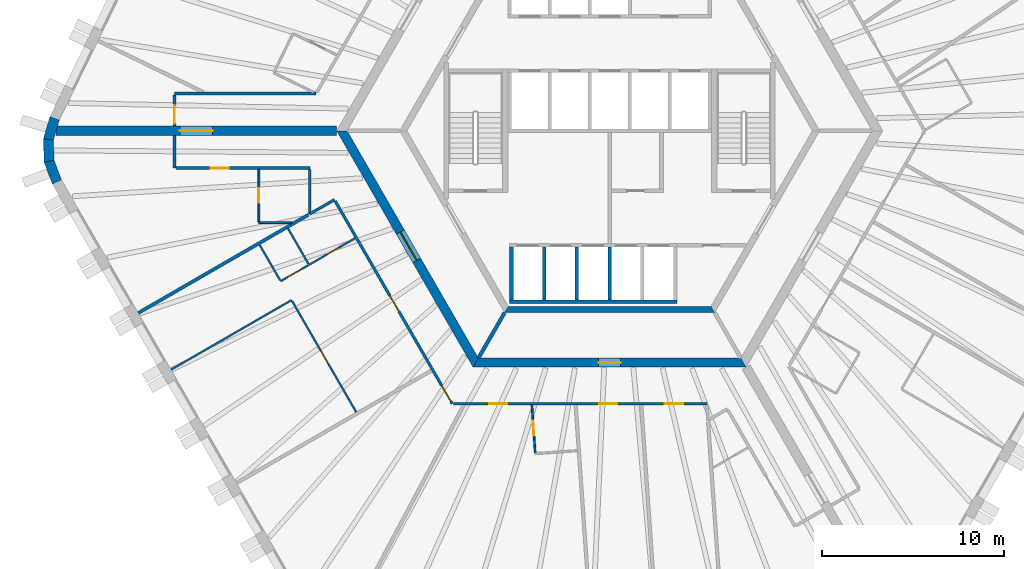
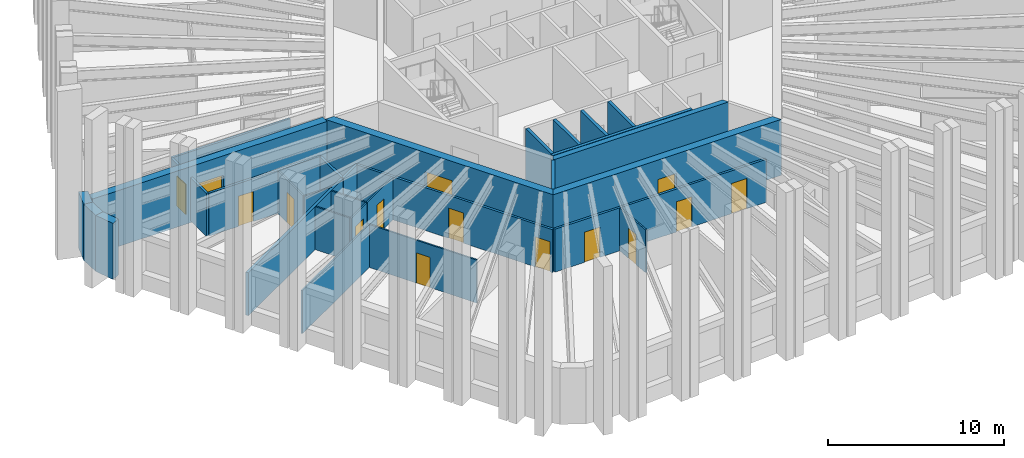
# One storey, part 3 of 10: 31 walls, 15 doors, 15 openings.
"""IFC4 building model written with IfcOpenShell, lengths in metres."""

from ifc_helpers import new_model, si_unit, direction, frame, frame_2d, origin, place, context, subcontext, project, spatial, polyline, rectangle, outline, extrude, material, layer, layer_set, type_object, element, fill, save


model = new_model("IFC4")

# Units and contexts
model_context = context("Model", 3, precision=1e-05, world=origin(), true_north=direction((0.0, 1.0)))
body_context = subcontext(model_context, "Body", "Model", "MODEL_VIEW")
ifc_project = project(units=[si_unit("LENGTHUNIT", "METRE"), si_unit("AREAUNIT", "SQUARE_METRE"), si_unit("VOLUMEUNIT", "CUBIC_METRE"), si_unit("PLANEANGLEUNIT", "RADIAN"), si_unit("MASSUNIT", "GRAM", prefix="KILO")], contexts=[model_context])

# Site, building, storey
site_placement = place(None, origin())
site = spatial("IfcSite", under=ifc_project, at=site_placement, CompositionType="ELEMENT")
building_placement = place(site_placement, origin())
building = spatial("IfcBuilding", under=site, at=building_placement, Name="Tarnside Tower", CompositionType="ELEMENT")
storey_placement = place(building_placement, frame((0.0, 0.0, 195.60009765625)))
storey = spatial("IfcBuildingStorey", under=building, at=storey_placement, Name="L46", CompositionType="ELEMENT", Elevation=195.60009765625)

# Wall
ifc_material_1 = material(Name="Gypsum board partition on steel studs", Category="steel")
ifc_layer_1 = layer(ifc_material_1, 0.10009765625)
ifc_layer_set_1 = layer_set([ifc_layer_1], Name="Bathroom wall 100")
wall_type_1 = type_object("IfcWallType", Name="Bathroom wall 100", PredefinedType="PARTITIONING", material=ifc_layer_set_1)
wall_1_placement = place(storey_placement, frame((-17.4912109375, -5.050048828125, 0.0), z_axis=(0.0, 0.0, 1.0), x_axis=(-1.0, 0.0, 0.0)))
element("IfcWall", 1, at=wall_1_placement, inside=storey, type_object=wall_type_1, Name="Bathroom wall 15071", PredefinedType="PARTITIONING", context=body_context, shape_type="SweptSolid", body=[
    extrude(rectangle(XDim=1.795654296875, YDim=0.10009765625, at=frame_2d((0.89794921875, 0.0))), origin(), (0.0, 0.0, 1.0), 2.98779296875),
])

# Wall, opening, door
wall_2_placement = place(storey_placement, frame((-19.286865234375, -5.0, 0.0), z_axis=(0.0, 0.0, 1.0), x_axis=(0.0, 1.0, 0.0)))
wall_2 = element("IfcWall", 2, at=wall_2_placement, inside=storey, type_object=wall_type_1, Name="Bathroom wall 15072", PredefinedType="PARTITIONING", context=body_context, shape_type="SweptSolid", body=[
    extrude(rectangle(XDim=2.875, YDim=0.10009765625, at=frame_2d((1.4375, 0.0))), origin(), (0.0, 0.0, 1.0), 2.98779296875),
])
opening_1_placement = place(wall_2_placement, frame((1.050048828125, 0.0, 0.0)))
opening_1 = element("IfcOpeningElement", 3, at=opening_1_placement, cuts=wall_2, Name="Opening D-B1", PredefinedType="OPENING", context=body_context, shape_type="SweptSolid", body=[
    extrude(rectangle(XDim=0.800048828125, YDim=2.10009765625, at=frame_2d((0.39990234375, 1.050048828125))), frame((0.0, 0.06005859375, 0.0), z_axis=(0.0, -1.0, 0.0), x_axis=(1.0, 0.0, 0.0)), (0.0, 0.0, 1.0), 0.1201171875),
])
ifc_material_2 = material(Name="Timber door leaf", Category="wood")
door_type_1 = type_object("IfcDoorType", Name="Bathroom door 800", OperationType="NOTDEFINED", PredefinedType="DOOR", material=ifc_material_2)
door_1_placement = place(opening_1_placement, origin())
door_1 = element("IfcDoor", 4, at=door_1_placement, inside=storey, type_object=door_type_1, Name="Bathroom door 15013", OperationType="SINGLE_SWING_LEFT", OverallHeight=2.10009765625, OverallWidth=0.800048828125, PredefinedType="DOOR", context=body_context, shape_type="SweptSolid", body=[
    extrude(rectangle(XDim=0.800048828125, YDim=2.10009765625, at=frame_2d((0.39990234375, 1.050048828125))), frame((0.0, 0.02490234375, 0.0), z_axis=(0.0, -1.0, 0.0), x_axis=(1.0, 0.0, 0.0)), (0.0, 0.0, 1.0), 0.050048828125),
])
fill(opening_1, door_1)

wall_3_placement = place(storey_placement, frame((-13.996337890625, -5.907470703125, 0.0), z_axis=(0.0, 0.0, 1.0), x_axis=(-0.86601045545, -0.500025890382, 0.0)))
wall_3 = element("IfcWall", 5, at=wall_3_placement, inside=storey, type_object=wall_type_1, Name="Bathroom wall 15077", PredefinedType="PARTITIONING", context=body_context, shape_type="SweptSolid", body=[
    extrude(rectangle(XDim=2.925048828125, YDim=0.10009765625, at=frame_2d((1.46240234375, 0.0))), origin(), (0.0, 0.0, 1.0), 2.98779296875),
])
opening_2_placement = place(wall_3_placement, frame((1.02490234375, 0.0, 0.0)))
opening_2 = element("IfcOpeningElement", 6, at=opening_2_placement, cuts=wall_3, Name="Opening D-B1", PredefinedType="OPENING", context=body_context, shape_type="SweptSolid", body=[
    extrude(rectangle(XDim=0.800048828125, YDim=2.10009765625, at=frame_2d((0.39990234375, 1.050048828125))), frame((0.0, 0.06005859375, 0.0), z_axis=(0.0, -1.0, 0.0), x_axis=(1.0, 0.0, 0.0)), (0.0, 0.0, 1.0), 0.1201171875),
])
door_2_placement = place(opening_2_placement, origin())
door_2 = element("IfcDoor", 7, at=door_2_placement, inside=storey, type_object=door_type_1, Name="Bathroom door 15015", OperationType="SINGLE_SWING_RIGHT", OverallHeight=2.10009765625, OverallWidth=0.800048828125, PredefinedType="DOOR", context=body_context, shape_type="SweptSolid", body=[
    extrude(rectangle(XDim=0.800048828125, YDim=2.10009765625, at=frame_2d((0.39990234375, 1.050048828125))), frame((0.0, 0.02490234375, 0.0), z_axis=(0.0, -1.0, 0.0), x_axis=(1.0, 0.0, 0.0)), (0.0, 0.0, 1.0), 0.050048828125),
])
fill(opening_2, door_2)

# Wall
wall_4_placement = place(storey_placement, frame((-17.6845703125, -5.36962890625, 0.0), z_axis=(0.0, 0.0, 1.0), x_axis=(0.500077800282, -0.865980481111, 0.0)))
element("IfcWall", 8, at=wall_4_placement, inside=storey, type_object=wall_type_1, Name="Bathroom wall 15083", PredefinedType="PARTITIONING", context=body_context, shape_type="SweptSolid", body=[
    extrude(rectangle(XDim=2.260009765625, YDim=0.10009765625, at=frame_2d((1.1298828125, 0.0))), origin(), (0.0, 0.0, 1.0), 2.98779296875),
])

# Wall, opening, door
wall_5_placement = place(storey_placement, frame((-4.09326171875, -17.698486328125, 0.0), z_axis=(0.0, 0.0, 1.0), x_axis=(-0.069808804481, 0.997560389559, 0.0)))
wall_5 = element("IfcWall", 9, at=wall_5_placement, inside=storey, type_object=wall_type_1, Name="Bathroom wall 15087", PredefinedType="PARTITIONING", context=body_context, shape_type="SweptSolid", body=[
    extrude(rectangle(XDim=2.6298828125, YDim=0.10009765625, at=frame_2d((1.31494140625, 0.0))), origin(), (0.0, 0.0, 1.0), 2.98779296875),
])
opening_3_placement = place(wall_5_placement, frame((0.949951171875, 0.0, 0.0)))
opening_3 = element("IfcOpeningElement", 10, at=opening_3_placement, cuts=wall_5, Name="Opening D-B1", PredefinedType="OPENING", context=body_context, shape_type="SweptSolid", body=[
    extrude(rectangle(XDim=0.800048828125, YDim=2.10009765625, at=frame_2d((0.39990234375, 1.050048828125))), frame((0.0, 0.06005859375, 0.0), z_axis=(0.0, -1.0, 0.0), x_axis=(1.0, 0.0, 0.0)), (0.0, 0.0, 1.0), 0.1201171875),
])
door_3_placement = place(opening_3_placement, origin())
door_3 = element("IfcDoor", 11, at=door_3_placement, inside=storey, type_object=door_type_1, Name="Bathroom door 15020", OperationType="SINGLE_SWING_LEFT", OverallHeight=2.10009765625, OverallWidth=0.800048828125, PredefinedType="DOOR", context=body_context, shape_type="SweptSolid", body=[
    extrude(rectangle(XDim=0.800048828125, YDim=2.10009765625, at=frame_2d((0.39990234375, 1.050048828125))), frame((0.0, 0.02490234375, 0.0), z_axis=(0.0, -1.0, 0.0), x_axis=(1.0, 0.0, 0.0)), (0.0, 0.0, 1.0), 0.050048828125),
])
fill(opening_3, door_3)

# Wall
ifc_material_3 = material(Name="Concrete C50/60", Category="concrete")
ifc_layer_2 = layer(ifc_material_3, 0.35009765625)
ifc_layer_set_2 = layer_set([ifc_layer_2], Name="Core block wall 350 C50/60")
wall_type_2 = type_object("IfcWallType", Name="Core block wall 350 C50/60", PredefinedType="SHEAR", material=ifc_layer_set_2)
wall_6_placement = place(storey_placement, frame((-5.672607421875, -9.824951171875, -0.150146484375), z_axis=(0.0, 0.0, 1.0), x_axis=(1.0, 0.0, 0.0)))
element("IfcWall", 12, at=wall_6_placement, inside=storey, type_object=wall_type_2, Name="L46 core block wall face 4", PredefinedType="SHEAR", context=body_context, shape_type="SweptSolid", body=[
    extrude(outline(polyline([(-0.10107421875, -0.175048828125), (11.4462890625, -0.175048828125), (11.244140625, 0.175048828125), (0.10107421875, 0.175048828125), (-0.10107421875, -0.175048828125)])), origin(), (0.0, 0.0, 1.0), 3.900146484375),
])

# Wall, opening, door
ifc_material_4 = material(Name="Concrete C70/85", Category="concrete")
ifc_layer_3 = layer(ifc_material_4, 0.5)
ifc_layer_set_3 = layer_set([ifc_layer_3], Name="Core wall Z2 500 C70/85")
wall_type_3 = type_object("IfcWallType", Name="Core wall Z2 500 C70/85", PredefinedType="SHEAR", material=ifc_layer_set_3)
wall_7_placement = place(storey_placement, frame((-14.722412109375, 0.0, -0.150146484375), z_axis=(0.0, 0.0, 1.0), x_axis=(0.50000571537, -0.866022103989, 0.0)))
wall_7 = element("IfcWall", 13, at=wall_7_placement, inside=storey, type_object=wall_type_3, Name="L46 core wall face 3", PredefinedType="SHEAR", context=body_context, shape_type="SweptSolid", body=[
    extrude(outline(polyline([(-0.144287109375, -0.25), (14.86669921875, -0.25), (14.578125, 0.25), (0.144287109375, 0.25), (-0.144287109375, -0.25)])), origin(), (0.0, 0.0, 1.0), 3.900146484375),
])
opening_4_placement = place(wall_7_placement, frame((6.432373046875, 0.0, 0.14990234375)))
opening_4 = element("IfcOpeningElement", 14, at=opening_4_placement, cuts=wall_7, Name="Opening CD-FFL", PredefinedType="OPENING", context=body_context, shape_type="SweptSolid", body=[
    extrude(rectangle(XDim=1.800048828125, YDim=2.39990234375, at=frame_2d((0.89990234375, 1.199951171875))), frame((0.0, 0.260009765625, 0.0), z_axis=(0.0, -1.0, 0.0), x_axis=(1.0, 0.0, 0.0)), (0.0, 0.0, 1.0), 0.52001953125),
])
ifc_material_5 = material(Name="Steel fire door", Category="steel")
door_type_2 = type_object("IfcDoorType", Name="Firefighting lobby double door FD60S 1800x2400", OperationType="NOTDEFINED", PredefinedType="DOOR", material=ifc_material_5)
door_4_placement = place(opening_4_placement, origin())
door_4 = element("IfcDoor", 15, at=door_4_placement, inside=storey, type_object=door_type_2, Name="L46 core door P3", OperationType="DOUBLE_DOOR_SINGLE_SWING", OverallHeight=2.39990234375, OverallWidth=1.800048828125, PredefinedType="DOOR", context=body_context, shape_type="SweptSolid", body=[
    extrude(rectangle(XDim=1.800048828125, YDim=2.39990234375, at=frame_2d((0.89990234375, 1.199951171875))), frame((0.0, 0.02490234375, 0.0), z_axis=(0.0, -1.0, 0.0), x_axis=(1.0, 0.0, 0.0)), (0.0, 0.0, 1.0), 0.050048828125),
])
fill(opening_4, door_4)

wall_8_placement = place(storey_placement, frame((-7.361083984375, -12.75, -0.150146484375), z_axis=(0.0, 0.0, 1.0), x_axis=(1.0, 0.0, 0.0)))
wall_8 = element("IfcWall", 16, at=wall_8_placement, inside=storey, type_object=wall_type_3, Name="L46 core wall face 4", PredefinedType="SHEAR", context=body_context, shape_type="SweptSolid", body=[
    extrude(outline(polyline([(-0.144287109375, -0.25), (14.866455078125, -0.25), (14.577880859375, 0.25), (0.144287109375, 0.25), (-0.144287109375, -0.25)])), origin(), (0.0, 0.0, 1.0), 3.900146484375),
])
opening_5_placement = place(wall_8_placement, frame((6.76123046875, 0.0, 0.14990234375)))
opening_5 = element("IfcOpeningElement", 17, at=opening_5_placement, cuts=wall_8, Name="Opening CD-RSR", PredefinedType="OPENING", context=body_context, shape_type="SweptSolid", body=[
    extrude(rectangle(XDim=1.199951171875, YDim=2.39990234375, at=frame_2d((0.60009765625, 1.199951171875))), frame((0.0, 0.260009765625, 0.0), z_axis=(0.0, -1.0, 0.0), x_axis=(1.0, 0.0, 0.0)), (0.0, 0.0, 1.0), 0.52001953125),
])
door_type_3 = type_object("IfcDoorType", Name="Riser door FD60 1200x2400", OperationType="NOTDEFINED", PredefinedType="DOOR", material=ifc_material_5)
door_5_placement = place(opening_5_placement, origin())
door_5 = element("IfcDoor", 18, at=door_5_placement, inside=storey, type_object=door_type_3, Name="L46 core door S6", OperationType="SINGLE_SWING_LEFT", OverallHeight=2.39990234375, OverallWidth=1.199951171875, PredefinedType="DOOR", context=body_context, shape_type="SweptSolid", body=[
    extrude(rectangle(XDim=1.199951171875, YDim=2.39990234375, at=frame_2d((0.60009765625, 1.199951171875))), frame((0.0, 0.02490234375, 0.0), z_axis=(0.0, -1.0, 0.0), x_axis=(1.0, 0.0, 0.0)), (0.0, 0.0, 1.0), 0.050048828125),
])
fill(opening_5, door_5)

wall_9_placement = place(storey_placement, frame((-15.010986328125, 0.0, -0.150146484375), z_axis=(0.0, 0.0, 1.0), x_axis=(-1.0, 0.0, 0.0)))
wall_9 = element("IfcWall", 19, at=wall_9_placement, inside=storey, type_object=wall_type_3, Name="L46 spine wall 2", PredefinedType="SHEAR", context=body_context, shape_type="SweptSolid", body=[
    extrude(rectangle(XDim=15.423828125, YDim=0.5, at=frame_2d((7.7119140625, 0.0))), origin(), (0.0, 0.0, 1.0), 3.900146484375),
])
opening_6_placement = place(wall_9_placement, frame((6.811767578125, 0.0, 0.14990234375)))
opening_6 = element("IfcOpeningElement", 20, at=opening_6_placement, cuts=wall_9, Name="Opening CD-SPN", PredefinedType="OPENING", context=body_context, shape_type="SweptSolid", body=[
    extrude(rectangle(XDim=1.800048828125, YDim=2.39990234375, at=frame_2d((0.89990234375, 1.199951171875))), frame((0.0, 0.260009765625, 0.0), z_axis=(0.0, -1.0, 0.0), x_axis=(1.0, 0.0, 0.0)), (0.0, 0.0, 1.0), 0.52001953125),
])
door_type_4 = type_object("IfcDoorType", Name="Spine passage double door FD60 1800x2400", OperationType="NOTDEFINED", PredefinedType="DOOR", material=ifc_material_5)
door_6_placement = place(opening_6_placement, origin())
door_6 = element("IfcDoor", 21, at=door_6_placement, inside=storey, type_object=door_type_4, Name="L46 spine passage door 2", OperationType="DOUBLE_DOOR_SINGLE_SWING", OverallHeight=2.39990234375, OverallWidth=1.800048828125, PredefinedType="DOOR", context=body_context, shape_type="SweptSolid", body=[
    extrude(rectangle(XDim=1.800048828125, YDim=2.39990234375, at=frame_2d((0.89990234375, 1.199951171875))), frame((0.0, 0.02490234375, 0.0), z_axis=(0.0, -1.0, 0.0), x_axis=(1.0, 0.0, 0.0)), (0.0, 0.0, 1.0), 0.050048828125),
])
fill(opening_6, door_6)

# Wall
ifc_layer_4 = layer(ifc_material_1, 0.14990234375)
ifc_layer_set_4 = layer_set([ifc_layer_4], Name="Corridor wall 150 EI 60")
wall_type_4 = type_object("IfcWallType", Name="Corridor wall 150 EI 60", PredefinedType="PARTITIONING", material=ifc_layer_set_4)
wall_10_placement = place(storey_placement, frame((-16.136962890625, 2.050048828125, 0.0), z_axis=(0.0, 0.0, 1.0), x_axis=(-1.0, 0.0, 0.0)))
element("IfcWall", 22, at=wall_10_placement, inside=storey, type_object=wall_type_4, Name="Corridor wall 15010", PredefinedType="PARTITIONING", context=body_context, shape_type="SweptSolid", body=[
    extrude(rectangle(XDim=7.785888671875, YDim=0.14990234375, at=frame_2d((3.89306640625, 0.0))), origin(), (0.0, 0.0, 1.0), 2.98779296875),
])

# Wall, opening, door
wall_11_placement = place(storey_placement, frame((-23.9228515625, 1.97509765625, 0.0), z_axis=(0.0, 0.0, 1.0), x_axis=(0.0, -1.0, 0.0)))
wall_11 = element("IfcWall", 23, at=wall_11_placement, inside=storey, type_object=wall_type_4, Name="Corridor wall 15014", PredefinedType="PARTITIONING", context=body_context, shape_type="SweptSolid", body=[
    extrude(rectangle(XDim=1.72509765625, YDim=0.14990234375, at=frame_2d((0.862548828125, 0.0))), origin(), (0.0, 0.0, 1.0), 2.98779296875),
])
opening_7_placement = place(wall_11_placement, frame((0.574951171875, 0.0, 0.0)))
opening_7 = element("IfcOpeningElement", 24, at=opening_7_placement, cuts=wall_11, Name="Opening D-E1", PredefinedType="OPENING", context=body_context, shape_type="SweptSolid", body=[
    extrude(rectangle(XDim=1.0, YDim=2.10009765625, at=frame_2d((0.5, 1.050048828125))), frame((0.0, 0.0849609375, 0.0), z_axis=(0.0, -1.0, 0.0), x_axis=(1.0, 0.0, 0.0)), (0.0, 0.0, 1.0), 0.169921875),
])
door_type_5 = type_object("IfcDoorType", Name="Unit entrance door 1000 FD30S", OperationType="NOTDEFINED", PredefinedType="DOOR", material=ifc_material_2)
door_7_placement = place(opening_7_placement, origin())
door_7 = element("IfcDoor", 25, at=door_7_placement, inside=storey, type_object=door_type_5, Name="Unit door 15011", OperationType="SINGLE_SWING_LEFT", OverallHeight=2.10009765625, OverallWidth=1.0, PredefinedType="DOOR", context=body_context, shape_type="SweptSolid", body=[
    extrude(rectangle(XDim=1.0, YDim=2.10009765625, at=frame_2d((0.5, 1.050048828125))), frame((0.0, 0.02490234375, 0.0), z_axis=(0.0, -1.0, 0.0), x_axis=(1.0, 0.0, 0.0)), (0.0, 0.0, 1.0), 0.050048828125),
])
fill(opening_7, door_7)

# Wall
wall_12_placement = place(storey_placement, frame((-23.9228515625, -0.25, 0.0), z_axis=(0.0, 0.0, 1.0), x_axis=(0.0, -1.0, 0.0)))
element("IfcWall", 26, at=wall_12_placement, inside=storey, type_object=wall_type_4, Name="Corridor wall 15015", PredefinedType="PARTITIONING", context=body_context, shape_type="SweptSolid", body=[
    extrude(rectangle(XDim=1.800048828125, YDim=0.14990234375, at=frame_2d((0.89990234375, 0.0))), origin(), (0.0, 0.0, 1.0), 2.98779296875),
])

# Wall, opening, door
wall_13_placement = place(storey_placement, frame((-23.847900390625, -2.050048828125, 0.0), z_axis=(0.0, 0.0, 1.0), x_axis=(1.0, 0.0, 0.0)))
wall_13 = element("IfcWall", 27, at=wall_13_placement, inside=storey, type_object=wall_type_4, Name="Corridor wall 15016", PredefinedType="PARTITIONING", context=body_context, shape_type="SweptSolid", body=[
    extrude(rectangle(XDim=7.36083984375, YDim=0.14990234375, at=frame_2d((3.680419921875, 0.0))), origin(), (0.0, 0.0, 1.0), 2.98779296875),
])
opening_8_placement = place(wall_13_placement, frame((1.91796875, 0.0, 0.0)))
opening_8 = element("IfcOpeningElement", 28, at=opening_8_placement, cuts=wall_13, Name="Opening D-E1", PredefinedType="OPENING", context=body_context, shape_type="SweptSolid", body=[
    extrude(rectangle(XDim=1.0, YDim=2.10009765625, at=frame_2d((0.5, 1.050048828125))), frame((0.0, 0.0849609375, 0.0), z_axis=(0.0, -1.0, 0.0), x_axis=(1.0, 0.0, 0.0)), (0.0, 0.0, 1.0), 0.169921875),
])
door_8_placement = place(opening_8_placement, origin())
door_8 = element("IfcDoor", 29, at=door_8_placement, inside=storey, type_object=door_type_5, Name="Unit door 15012", OperationType="SINGLE_SWING_LEFT", OverallHeight=2.10009765625, OverallWidth=1.0, PredefinedType="DOOR", context=body_context, shape_type="SweptSolid", body=[
    extrude(rectangle(XDim=1.0, YDim=2.10009765625, at=frame_2d((0.5, 1.050048828125))), frame((0.0, 0.02490234375, 0.0), z_axis=(0.0, -1.0, 0.0), x_axis=(1.0, 0.0, 0.0)), (0.0, 0.0, 1.0), 0.050048828125),
])
fill(opening_8, door_8)

# Wall
wall_14_placement = place(storey_placement, frame((-16.487060546875, -2.125, 0.0), z_axis=(0.0, 0.0, 1.0), x_axis=(0.0, -1.0, 0.0)))
element("IfcWall", 30, at=wall_14_placement, inside=storey, type_object=wall_type_4, Name="Corridor wall 15018", PredefinedType="PARTITIONING", context=body_context, shape_type="SweptSolid", body=[
    extrude(rectangle(XDim=2.44921875, YDim=0.14990234375, at=frame_2d((1.224609375, 0.0))), origin(), (0.0, 0.0, 1.0), 2.98779296875),
])

# Wall, openings, doors
wall_15_placement = place(storey_placement, frame((-15.093994140625, -3.8564453125, 0.0), z_axis=(0.0, 0.0, 1.0), x_axis=(0.500006037985, -0.866021917724, 0.0)))
wall_15 = element("IfcWall", 31, at=wall_15_placement, inside=storey, type_object=wall_type_4, Name="Corridor wall 15019", PredefinedType="PARTITIONING", context=body_context, shape_type="SweptSolid", body=[
    extrude(rectangle(XDim=12.867431640625, YDim=0.14990234375, at=frame_2d((6.43359375, 0.0))), origin(), (0.0, 0.0, 1.0), 2.98779296875),
])
opening_9_placement = place(wall_15_placement, frame((6.02490234375, 0.0, 0.0)))
opening_9 = element("IfcOpeningElement", 32, at=opening_9_placement, cuts=wall_15, Name="Opening D-E1", PredefinedType="OPENING", context=body_context, shape_type="SweptSolid", body=[
    extrude(rectangle(XDim=1.0, YDim=2.10009765625, at=frame_2d((0.5, 1.050048828125))), frame((0.0, 0.0849609375, 0.0), z_axis=(0.0, -1.0, 0.0), x_axis=(1.0, 0.0, 0.0)), (0.0, 0.0, 1.0), 0.169921875),
])
opening_10_placement = place(wall_15_placement, frame((11.71728515625, 0.0, 0.0)))
opening_10 = element("IfcOpeningElement", 33, at=opening_10_placement, cuts=wall_15, Name="Opening D-E1", PredefinedType="OPENING", context=body_context, shape_type="SweptSolid", body=[
    extrude(rectangle(XDim=1.0, YDim=2.10009765625, at=frame_2d((0.5, 1.050048828125))), frame((0.0, 0.0849609375, 0.0), z_axis=(0.0, -1.0, 0.0), x_axis=(1.0, 0.0, 0.0)), (0.0, 0.0, 1.0), 0.169921875),
])
door_9_placement = place(opening_9_placement, origin())
door_9 = element("IfcDoor", 34, at=door_9_placement, inside=storey, type_object=door_type_5, Name="Unit door 15014", OperationType="SINGLE_SWING_LEFT", OverallHeight=2.10009765625, OverallWidth=1.0, PredefinedType="DOOR", context=body_context, shape_type="SweptSolid", body=[
    extrude(rectangle(XDim=1.0, YDim=2.10009765625, at=frame_2d((0.5, 1.050048828125))), frame((0.0, 0.02490234375, 0.0), z_axis=(0.0, -1.0, 0.0), x_axis=(1.0, 0.0, 0.0)), (0.0, 0.0, 1.0), 0.050048828125),
])
fill(opening_9, door_9)
door_10_placement = place(opening_10_placement, origin())
door_10 = element("IfcDoor", 35, at=door_10_placement, inside=storey, type_object=door_type_5, Name="Unit door 15018", OperationType="SINGLE_SWING_LEFT", OverallHeight=2.10009765625, OverallWidth=1.0, PredefinedType="DOOR", context=body_context, shape_type="SweptSolid", body=[
    extrude(rectangle(XDim=1.0, YDim=2.10009765625, at=frame_2d((0.5, 1.050048828125))), frame((0.0, 0.02490234375, 0.0), z_axis=(0.0, -1.0, 0.0), x_axis=(1.0, 0.0, 0.0)), (0.0, 0.0, 1.0), 0.050048828125),
])
fill(opening_10, door_10)

# Wall
wall_16_placement = place(storey_placement, frame((-16.490234375, -4.576171875, 0.0), z_axis=(0.0, 0.0, 1.0), x_axis=(0.865993845424, 0.5000546567, 0.0)))
element("IfcWall", 36, at=wall_16_placement, inside=storey, type_object=wall_type_4, Name="Corridor wall 15020", PredefinedType="PARTITIONING", context=body_context, shape_type="SweptSolid", body=[
    extrude(rectangle(XDim=1.569091796875, YDim=0.14990234375, at=frame_2d((0.78466796875, 0.0))), origin(), (0.0, 0.0, 1.0), 2.98779296875),
])

# Wall, openings, doors
wall_17_placement = place(storey_placement, frame((-8.57373046875, -15.0, 0.0), z_axis=(0.0, 0.0, 1.0), x_axis=(1.0, 0.0, 0.0)))
wall_17 = element("IfcWall", 37, at=wall_17_placement, inside=storey, type_object=wall_type_4, Name="Corridor wall 15023", PredefinedType="PARTITIONING", context=body_context, shape_type="SweptSolid", body=[
    extrude(rectangle(XDim=13.9150390625, YDim=0.14990234375, at=frame_2d((6.95751953125, 0.0))), origin(), (0.0, 0.0, 1.0), 2.98779296875),
])
opening_11_placement = place(wall_17_placement, frame((1.95068359375, 0.0, 0.0)))
opening_11 = element("IfcOpeningElement", 38, at=opening_11_placement, cuts=wall_17, Name="Opening D-E1", PredefinedType="OPENING", context=body_context, shape_type="SweptSolid", body=[
    extrude(rectangle(XDim=1.0, YDim=2.10009765625, at=frame_2d((0.5, 1.050048828125))), frame((0.0, 0.0849609375, 0.0), z_axis=(0.0, -1.0, 0.0), x_axis=(1.0, 0.0, 0.0)), (0.0, 0.0, 1.0), 0.169921875),
])
opening_12_placement = place(wall_17_placement, frame((8.001953125, 0.0, 0.0)))
opening_12 = element("IfcOpeningElement", 39, at=opening_12_placement, cuts=wall_17, Name="Opening D-E1", PredefinedType="OPENING", context=body_context, shape_type="SweptSolid", body=[
    extrude(rectangle(XDim=1.0, YDim=2.10009765625, at=frame_2d((0.5, 1.050048828125))), frame((0.0, 0.0849609375, 0.0), z_axis=(0.0, -1.0, 0.0), x_axis=(1.0, 0.0, 0.0)), (0.0, 0.0, 1.0), 0.169921875),
])
opening_13_placement = place(wall_17_placement, frame((11.610595703125, 0.0, 0.0)))
opening_13 = element("IfcOpeningElement", 40, at=opening_13_placement, cuts=wall_17, Name="Opening D-E1", PredefinedType="OPENING", context=body_context, shape_type="SweptSolid", body=[
    extrude(rectangle(XDim=1.0, YDim=2.10009765625, at=frame_2d((0.5, 1.050048828125))), frame((0.0, 0.0849609375, 0.0), z_axis=(0.0, -1.0, 0.0), x_axis=(1.0, 0.0, 0.0)), (0.0, 0.0, 1.0), 0.169921875),
])
door_11_placement = place(opening_11_placement, origin())
door_11 = element("IfcDoor", 41, at=door_11_placement, inside=storey, type_object=door_type_5, Name="Unit door 15019", OperationType="SINGLE_SWING_LEFT", OverallHeight=2.10009765625, OverallWidth=1.0, PredefinedType="DOOR", context=body_context, shape_type="SweptSolid", body=[
    extrude(rectangle(XDim=1.0, YDim=2.10009765625, at=frame_2d((0.5, 1.050048828125))), frame((0.0, 0.02490234375, 0.0), z_axis=(0.0, -1.0, 0.0), x_axis=(1.0, 0.0, 0.0)), (0.0, 0.0, 1.0), 0.050048828125),
])
fill(opening_11, door_11)
door_12_placement = place(opening_12_placement, origin())
door_12 = element("IfcDoor", 42, at=door_12_placement, inside=storey, type_object=door_type_5, Name="Unit door 15021", OperationType="SINGLE_SWING_RIGHT", OverallHeight=2.10009765625, OverallWidth=1.0, PredefinedType="DOOR", context=body_context, shape_type="SweptSolid", body=[
    extrude(rectangle(XDim=1.0, YDim=2.10009765625, at=frame_2d((0.5, 1.050048828125))), frame((0.0, 0.02490234375, 0.0), z_axis=(0.0, -1.0, 0.0), x_axis=(1.0, 0.0, 0.0)), (0.0, 0.0, 1.0), 0.050048828125),
])
fill(opening_12, door_12)
door_13_placement = place(opening_13_placement, origin())
door_13 = element("IfcDoor", 43, at=door_13_placement, inside=storey, type_object=door_type_5, Name="Unit door 15022", OperationType="SINGLE_SWING_RIGHT", OverallHeight=2.10009765625, OverallWidth=1.0, PredefinedType="DOOR", context=body_context, shape_type="SweptSolid", body=[
    extrude(rectangle(XDim=1.0, YDim=2.10009765625, at=frame_2d((0.5, 1.050048828125))), frame((0.0, 0.02490234375, 0.0), z_axis=(0.0, -1.0, 0.0), x_axis=(1.0, 0.0, 0.0)), (0.0, 0.0, 1.0), 0.050048828125),
])
fill(opening_13, door_13)

# Walls
ifc_layer_5 = layer(ifc_material_1, 0.179931640625)
ifc_layer_set_5 = layer_set([ifc_layer_5], Name="Demising wall 180 EI 60")
wall_type_5 = type_object("IfcWallType", Name="Demising wall 180 EI 60", PredefinedType="PARTITIONING", material=ifc_layer_set_5)
wall_18_placement = place(storey_placement, frame((-25.91357421875, -10.0166015625, 0.0), z_axis=(0.0, 0.0, 1.0), x_axis=(0.866019956843, 0.50000943426, 0.0)))
element("IfcWall", 44, at=wall_18_placement, inside=storey, type_object=wall_type_5, Name="Demising wall 15073", PredefinedType="PARTITIONING", context=body_context, shape_type="SweptSolid", body=[
    extrude(rectangle(XDim=10.800537109375, YDim=0.179931640625, at=frame_2d((5.400390625, 0.0))), origin(), (0.0, 0.0, 1.0), 2.98779296875),
])
ifc_material_6 = material(Name="Concrete C40/50", Category="concrete")
ifc_layer_6 = layer(ifc_material_6, 0.199951171875)
ifc_layer_set_6 = layer_set([ifc_layer_6], Name="Lift shaft wall 200 C40/50")
wall_type_6 = type_object("IfcWallType", Name="Lift shaft wall 200 C40/50", PredefinedType="SHEAR", material=ifc_layer_set_6)
wall_19_placement = place(storey_placement, frame((-5.5, -9.39990234375, -0.25), z_axis=(0.0, 0.0, 1.0), x_axis=(1.0, 0.0, 0.0)))
element("IfcWall", 45, at=wall_19_placement, inside=storey, type_object=wall_type_6, Name="L46 lift shaft back wall R4", PredefinedType="SHEAR", context=body_context, shape_type="SweptSolid", body=[
    extrude(rectangle(XDim=9.199951171875, YDim=0.199951171875, at=frame_2d((4.60009765625, 0.0))), origin(), (0.0, 0.0, 1.0), 3.89990234375),
])
for number, where, z_axis, x_axis, name in (
    (46, (-5.39990234375, -9.300048828125, -0.25), (0.0, 0.0, 1.0), (0.0, 1.0, 0.0), "L46 lift shaft partition R41"),
    (47, (-3.60009765625, -9.300048828125, -0.25), (0.0, 0.0, 1.0), (0.0, 1.0, 0.0), "L46 lift shaft partition R42"),
    (48, (-1.800048828125, -9.300048828125, -0.25), (0.0, 0.0, 1.0), (0.0, 1.0, 0.0), "L46 lift shaft partition R43"),
    (49, (0.0, -9.300048828125, -0.25), (0.0, 0.0, 1.0), (0.0, 1.0, 0.0), "L46 lift shaft partition R44"),
):
    element("IfcWall", number, at=place(storey_placement, frame(where, z_axis=z_axis, x_axis=x_axis)), inside=storey, type_object=wall_type_6, Name=name, PredefinedType="SHEAR", context=body_context, shape_type="SweptSolid", body=[
        extrude(rectangle(XDim=2.900146484375, YDim=0.199951171875, at=frame_2d((1.4501953125, 0.0))), origin(), (0.0, 0.0, 1.0), 3.89990234375),
    ])
wall_20_placement = place(storey_placement, frame((-5.7734375, -10.0, -0.150146484375), z_axis=(0.0, 0.0, 1.0), x_axis=(-0.499995765644, -0.866027848477, 0.0)))
element("IfcWall", 50, at=wall_20_placement, inside=storey, type_object=wall_type_6, Name="L46 core partition AR240", PredefinedType="SHEAR", context=body_context, shape_type="SweptSolid", body=[
    extrude(rectangle(XDim=2.88671875, YDim=0.199951171875, at=frame_2d((1.443359375, 0.0))), origin(), (0.0, 0.0, 1.0), 3.900146484375),
])

# Wall, opening, door
ifc_layer_7 = layer(ifc_material_1, 0.10009765625)
ifc_layer_set_7 = layer_set([ifc_layer_7], Name="Partition 100")
wall_type_7 = type_object("IfcWallType", Name="Partition 100", PredefinedType="PARTITIONING", material=ifc_layer_set_7)
wall_21_placement = place(storey_placement, frame((-16.57275390625, -7.39501953125, 0.0), z_axis=(0.0, 0.0, 1.0), x_axis=(-0.866036909293, -0.499980071345, 0.0)))
wall_21 = element("IfcWall", 51, at=wall_21_placement, inside=storey, type_object=wall_type_7, Name="Partition wall 15078", PredefinedType="PARTITIONING", context=body_context, shape_type="SweptSolid", body=[
    extrude(rectangle(XDim=1.75, YDim=0.10009765625, at=frame_2d((0.875, 0.0))), origin(), (0.0, 0.0, 1.0), 2.98779296875),
])
opening_14_placement = place(wall_21_placement, frame((0.39990234375, 0.0, 0.0)))
opening_14 = element("IfcOpeningElement", 52, at=opening_14_placement, cuts=wall_21, Name="Opening D-I1", PredefinedType="OPENING", context=body_context, shape_type="SweptSolid", body=[
    extrude(rectangle(XDim=0.89990234375, YDim=2.10009765625, at=frame_2d((0.449951171875, 1.050048828125))), frame((0.0, 0.06005859375, 0.0), z_axis=(0.0, -1.0, 0.0), x_axis=(1.0, 0.0, 0.0)), (0.0, 0.0, 1.0), 0.1201171875),
])
door_type_6 = type_object("IfcDoorType", Name="Internal door 900", OperationType="NOTDEFINED", PredefinedType="DOOR", material=ifc_material_2)
door_14_placement = place(opening_14_placement, origin())
door_14 = element("IfcDoor", 53, at=door_14_placement, inside=storey, type_object=door_type_6, Name="Internal door 15016", OperationType="SINGLE_SWING_RIGHT", OverallHeight=2.10009765625, OverallWidth=0.89990234375, PredefinedType="DOOR", context=body_context, shape_type="SweptSolid", body=[
    extrude(rectangle(XDim=0.89990234375, YDim=2.10009765625, at=frame_2d((0.449951171875, 1.050048828125))), frame((0.0, 0.02490234375, 0.0), z_axis=(0.0, -1.0, 0.0), x_axis=(1.0, 0.0, 0.0)), (0.0, 0.0, 1.0), 0.050048828125),
])
fill(opening_14, door_14)

# Walls
wall_22_placement = place(storey_placement, frame((-18.11328125, -8.226806640625, 0.0), z_axis=(0.0, 0.0, 1.0), x_axis=(-0.500031020067, 0.8660074936, 0.0)))
element("IfcWall", 54, at=wall_22_placement, inside=storey, type_object=wall_type_7, Name="Partition wall 15079", PredefinedType="PARTITIONING", context=body_context, shape_type="SweptSolid", body=[
    extrude(rectangle(XDim=2.260009765625, YDim=0.10009765625, at=frame_2d((1.1298828125, 0.0))), origin(), (0.0, 0.0, 1.0), 2.98779296875),
])
wall_23_placement = place(storey_placement, frame((-24.113525390625, -13.13427734375, 0.0), z_axis=(0.0, 0.0, 1.0), x_axis=(0.866033062874, 0.499986733834, 0.0)))
element("IfcWall", 55, at=wall_23_placement, inside=storey, type_object=wall_type_7, Name="Partition wall 15080", PredefinedType="PARTITIONING", context=body_context, shape_type="SweptSolid", body=[
    extrude(rectangle(XDim=7.650146484375, YDim=0.10009765625, at=frame_2d((3.8251953125, 0.0))), origin(), (0.0, 0.0, 1.0), 2.98779296875),
])

# Wall, opening, door
wall_24_placement = place(storey_placement, frame((-17.46337890625, -9.3525390625, 0.0), z_axis=(0.0, 0.0, 1.0), x_axis=(0.499995846692, -0.866027801685, 0.0)))
wall_24 = element("IfcWall", 56, at=wall_24_placement, inside=storey, type_object=wall_type_7, Name="Partition wall 15081", PredefinedType="PARTITIONING", context=body_context, shape_type="SweptSolid", body=[
    extrude(rectangle(XDim=7.06005859375, YDim=0.10009765625, at=frame_2d((3.530029296875, 0.0))), origin(), (0.0, 0.0, 1.0), 2.98779296875),
])
opening_15_placement = place(wall_24_placement, frame((3.10009765625, 0.0, 0.0)))
opening_15 = element("IfcOpeningElement", 57, at=opening_15_placement, cuts=wall_24, Name="Opening D-I1", PredefinedType="OPENING", context=body_context, shape_type="SweptSolid", body=[
    extrude(rectangle(XDim=0.89990234375, YDim=2.10009765625, at=frame_2d((0.449951171875, 1.050048828125))), frame((0.0, 0.06005859375, 0.0), z_axis=(0.0, -1.0, 0.0), x_axis=(1.0, 0.0, 0.0)), (0.0, 0.0, 1.0), 0.1201171875),
])
door_15_placement = place(opening_15_placement, origin())
door_15 = element("IfcDoor", 58, at=door_15_placement, inside=storey, type_object=door_type_6, Name="Internal door 15017", OperationType="SINGLE_SWING_RIGHT", OverallHeight=2.10009765625, OverallWidth=0.89990234375, PredefinedType="DOOR", context=body_context, shape_type="SweptSolid", body=[
    extrude(rectangle(XDim=0.89990234375, YDim=2.10009765625, at=frame_2d((0.449951171875, 1.050048828125))), frame((0.0, 0.02490234375, 0.0), z_axis=(0.0, -1.0, 0.0), x_axis=(1.0, 0.0, 0.0)), (0.0, 0.0, 1.0), 0.050048828125),
])
fill(opening_15, door_15)

# Walls
ifc_material_7 = material(Name="Facing brick", Category="masonry")
ifc_layer_8 = layer(ifc_material_7, 0.10205078125)
ifc_material_8 = material(Name="Concrete C60/75 precast", Category="concrete")
ifc_layer_9 = layer(ifc_material_8, 0.347900390625)
ifc_material_9 = material(Name="Mineral wool insulation")
ifc_layer_10 = layer(ifc_material_9, 0.10009765625)
ifc_layer_set_8 = layer_set([ifc_layer_8, ifc_layer_9, ifc_layer_10], Name="Tube wall 550 brick faced")
wall_type_8 = type_object("IfcWallType", Name="Tube wall 550 brick faced", PredefinedType="SOLIDWALL", material=ifc_layer_set_8)
wall_25_placement = place(storey_placement, frame((-30.51318359375, 0.684326171875, -0.150146484375), z_axis=(0.0, 0.0, 1.0), x_axis=(-0.286736058109, -0.958009620505, 0.0)))
element("IfcWall", 59, at=wall_25_placement, inside=storey, type_object=wall_type_8, Name="Tube wall L46 F2 chord 05", PredefinedType="SOLIDWALL", context=body_context, shape_type="SweptSolid", body=[
    extrude(outline(polyline([(-0.0224609375, -0.27490234375), (1.25341796875, -0.27490234375), (1.1630859375, 0.27490234375), (0.0224609375, 0.27490234375), (-0.0224609375, -0.27490234375)])), origin(), (0.0, 0.0, 1.0), 3.900146484375),
])
wall_26_placement = place(storey_placement, frame((-30.859619140625, -0.47314453125, -0.150146484375), z_axis=(0.0, 0.0, 1.0), x_axis=(0.03495638276, -0.999388838893, 0.0)))
element("IfcWall", 60, at=wall_26_placement, inside=storey, type_object=wall_type_8, Name="Tube wall L46 F2 chord 06", PredefinedType="SOLIDWALL", context=body_context, shape_type="SweptSolid", body=[
    extrude(outline(polyline([(-0.045166015625, -0.27490234375), (1.25341796875, -0.27490234375), (1.1630859375, 0.27490234375), (0.045166015625, 0.27490234375), (-0.045166015625, -0.27490234375)])), origin(), (0.0, 0.0, 1.0), 3.900146484375),
])
wall_27_placement = place(storey_placement, frame((-30.8173828125, -1.6806640625, -0.150146484375), z_axis=(0.0, 0.0, 1.0), x_axis=(0.352850303963, -0.935679786569, 0.0)))
element("IfcWall", 61, at=wall_27_placement, inside=storey, type_object=wall_type_8, Name="Tube wall L46 F2 chord 07", PredefinedType="SOLIDWALL", context=body_context, shape_type="SweptSolid", body=[
    extrude(outline(polyline([(-0.045166015625, -0.27490234375), (1.23046875, -0.27490234375), (1.185546875, 0.27490234375), (0.045166015625, 0.27490234375), (-0.045166015625, -0.27490234375)])), origin(), (0.0, 0.0, 1.0), 3.900146484375),
])

save(model, "model.ifc")
